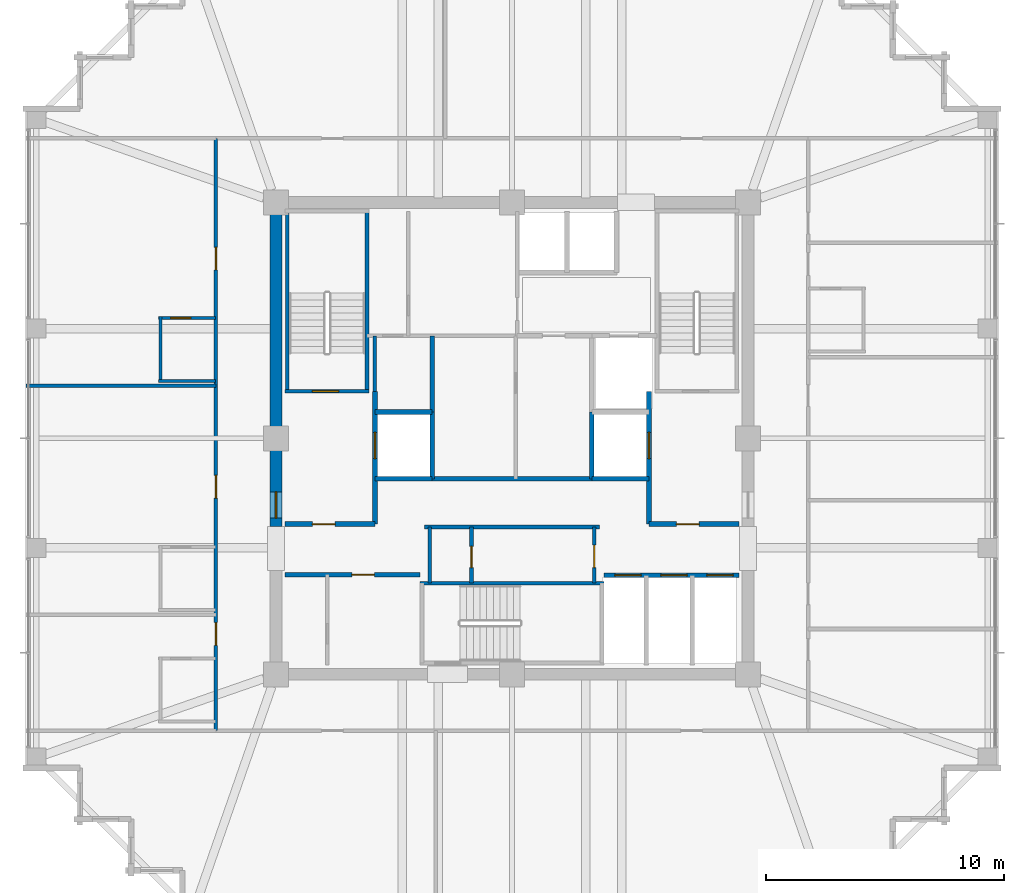
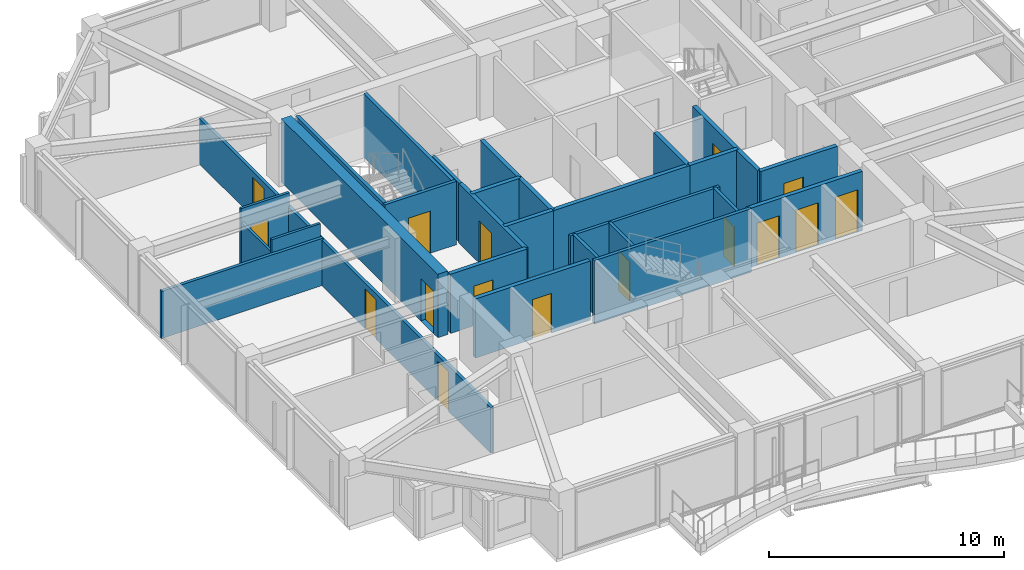
# One storey, part 31 of 36: 28 walls, 16 doors, 16 openings.
"""IFC4 building model written with IfcOpenShell, lengths in metres."""

from ifc_helpers import new_model, si_unit, direction, frame, frame_2d, origin, place, context, subcontext, project, spatial, rectangle, extrude, material, layer, layer_set, type_object, element, fill, save


model = new_model("IFC4")

# Units and contexts
model_context = context("Model", 3, precision=1e-05, world=origin(), true_north=direction((0.0, 1.0)))
body_context = subcontext(model_context, "Body", "Model", "MODEL_VIEW")
ifc_project = project(units=[si_unit("LENGTHUNIT", "METRE"), si_unit("AREAUNIT", "SQUARE_METRE"), si_unit("VOLUMEUNIT", "CUBIC_METRE"), si_unit("PLANEANGLEUNIT", "RADIAN"), si_unit("MASSUNIT", "GRAM", prefix="KILO")], contexts=[model_context])

# Site, building, storey
site_placement = place(None, origin())
site = spatial("IfcSite", under=ifc_project, at=site_placement, CompositionType="ELEMENT")
building_placement = place(site_placement, origin())
building = spatial("IfcBuilding", under=site, at=building_placement, Name="Kolvaren Belvedere", CompositionType="ELEMENT")
storey_placement = place(building_placement, frame((0.0, 0.0, 199.800048828125)))
storey = spatial("IfcBuildingStorey", under=building, at=storey_placement, Name="L58", CompositionType="ELEMENT", Elevation=199.800048828125)

# Wall, opening, door
ifc_material_1 = material(Name="Concrete C50/60", Category="concrete")
ifc_layer_1 = layer(ifc_material_1, 0.5)
ifc_layer_set_1 = layer_set([ifc_layer_1], Name="Concrete C50/60")
wall_type_1 = type_object("IfcWallType", Name="CW-CORE-500", PredefinedType="SHEAR", material=ifc_layer_set_1)
wall_1_placement = place(storey_placement, frame((-9.89990234375, -3.699951171875, 0.0), z_axis=(0.0, 0.0, 1.0), x_axis=(0.0, 1.0, 0.0)))
wall_1 = element("IfcWall", 1, at=wall_1_placement, inside=storey, type_object=wall_type_1, Name="L58 West Core Shear Wall 2", PredefinedType="SHEAR", context=body_context, shape_type="SweptSolid", body=[
    extrude(rectangle(XDim=13.349853515625, YDim=0.5, at=frame_2d((6.6748046875, 0.0))), origin(), (0.0, 0.0, 1.0), 3.300048828125),
])
opening_1_placement = place(wall_1_placement, frame((0.35009765625, 0.0, 0.0)))
opening_1 = element("IfcOpeningElement", 2, at=opening_1_placement, cuts=wall_1, Name="Opening D-FD90", PredefinedType="OPENING", context=body_context, shape_type="SweptSolid", body=[
    extrude(rectangle(XDim=1.10009765625, YDim=2.199951171875, at=frame_2d((0.550048828125, 1.10009765625))), frame((0.0, 0.260009765625, 0.0), z_axis=(0.0, -1.0, 0.0), x_axis=(1.0, 0.0, 0.0)), (0.0, 0.0, 1.0), 0.52001953125),
])
ifc_material_2 = material(Name="Painted hollow stainless steel", Category="steel")
door_type_1 = type_object("IfcDoorType", Name="DR-FD90-1100", OperationType="NOTDEFINED", PredefinedType="DOOR", material=ifc_material_2)
door_1_placement = place(opening_1_placement, origin())
door_1 = element("IfcDoor", 3, at=door_1_placement, inside=storey, type_object=door_type_1, Name="L58 West Firefighting Lobby Fire Door", OperationType="SINGLE_SWING_LEFT", OverallHeight=2.199951171875, OverallWidth=1.10009765625, PredefinedType="DOOR", context=body_context, shape_type="SweptSolid", body=[
    extrude(rectangle(XDim=1.10009765625, YDim=2.199951171875, at=frame_2d((0.550048828125, 1.10009765625))), frame((0.0, 0.02490234375, 0.0), z_axis=(0.0, -1.0, 0.0), x_axis=(1.0, 0.0, 0.0)), (0.0, 0.0, 1.0), 0.050048828125),
])
fill(opening_1, door_1)

ifc_material_3 = material(Name="Concrete C50/60", Category="concrete")
ifc_layer_2 = layer(ifc_material_3, 0.159912109375)
ifc_layer_set_2 = layer_set([ifc_layer_2], Name="Concrete C50/60")
wall_type_2 = type_object("IfcWallType", Name="CW-STAIR-160", PredefinedType="SHEAR", material=ifc_layer_set_2)
wall_2_placement = place(storey_placement, frame((-9.52001953125, 1.969970703125, 0.0), z_axis=(0.0, 0.0, 1.0), x_axis=(1.0, 0.0, 0.0)))
wall_2 = element("IfcWall", 4, at=wall_2_placement, inside=storey, type_object=wall_type_2, Name="L58 Stair ST-1 South Shear Wall", PredefinedType="SHEAR", context=body_context, shape_type="SweptSolid", body=[
    extrude(rectangle(XDim=3.52001953125, YDim=0.159912109375, at=frame_2d((1.760009765625, 0.0))), origin(), (0.0, 0.0, 1.0), 3.300048828125),
])
opening_2_placement = place(wall_2_placement, frame((1.14990234375, 0.0, 0.0)))
opening_2 = element("IfcOpeningElement", 5, at=opening_2_placement, cuts=wall_2, Name="Opening D-FD90", PredefinedType="OPENING", context=body_context, shape_type="SweptSolid", body=[
    extrude(rectangle(XDim=1.10009765625, YDim=2.199951171875, at=frame_2d((0.550048828125, 1.10009765625))), frame((0.0, 0.08984375, 0.0), z_axis=(0.0, -1.0, 0.0), x_axis=(1.0, 0.0, 0.0)), (0.0, 0.0, 1.0), 0.179931640625),
])
door_2_placement = place(opening_2_placement, origin())
door_2 = element("IfcDoor", 6, at=door_2_placement, inside=storey, type_object=door_type_1, Name="L58 Stair ST-1 Fire Door", OperationType="SINGLE_SWING_LEFT", OverallHeight=2.199951171875, OverallWidth=1.10009765625, PredefinedType="DOOR", context=body_context, shape_type="SweptSolid", body=[
    extrude(rectangle(XDim=1.10009765625, YDim=2.199951171875, at=frame_2d((0.550048828125, 1.10009765625))), frame((0.0, 0.02490234375, 0.0), z_axis=(0.0, -1.0, 0.0), x_axis=(1.0, 0.0, 0.0)), (0.0, 0.0, 1.0), 0.050048828125),
])
fill(opening_2, door_2)

# Walls
for number, where, z_axis, x_axis, name in (
    (7, (-9.429931640625, 1.969970703125, 0.0), (0.0, 0.0, 1.0), (0.0, 1.0, 0.0), "L58 Stair ST-1 West Shear Wall"),
    (8, (-6.080078125, 1.969970703125, 0.0), (0.0, 0.0, 1.0), (0.0, 1.0, 0.0), "L58 Stair ST-1 East Shear Wall"),
):
    element("IfcWall", number, at=place(storey_placement, frame(where, z_axis=z_axis, x_axis=x_axis)), inside=storey, type_object=wall_type_2, Name=name, PredefinedType="SHEAR", context=body_context, shape_type="SweptSolid", body=[
        extrude(rectangle(XDim=7.56005859375, YDim=0.159912109375, at=frame_2d((3.780029296875, 0.0))), origin(), (0.0, 0.0, 1.0), 3.300048828125),
    ])
wall_3_placement = place(storey_placement, frame((-3.860107421875, -6.080078125, 0.0), z_axis=(0.0, 0.0, 1.0), x_axis=(1.0, 0.0, 0.0)))
element("IfcWall", 9, at=wall_3_placement, inside=storey, type_object=wall_type_2, Name="L58 Stair ST-3 North Shear Wall", PredefinedType="SHEAR", context=body_context, shape_type="SweptSolid", body=[
    extrude(rectangle(XDim=7.72021484375, YDim=0.159912109375, at=frame_2d((3.860107421875, 0.0))), origin(), (0.0, 0.0, 1.0), 3.300048828125),
])

# Wall, openings, doors
ifc_material_4 = material(Name="Gypsum fire-rated partition assembly", Category="gypsum")
ifc_layer_3 = layer(ifc_material_4, 0.14990234375)
ifc_layer_set_3 = layer_set([ifc_layer_3], Name="Gypsum fire-rated partition assembly")
wall_type_3 = type_object("IfcWallType", Name="WL-CORR-150", PredefinedType="PARTITIONING", material=ifc_layer_set_3)
wall_4_placement = place(storey_placement, frame((-12.419921875, -12.260009765625, 0.0), z_axis=(0.0, 0.0, 1.0), x_axis=(0.0, 1.0, 0.0)))
wall_4 = element("IfcWall", 10, at=wall_4_placement, inside=storey, type_object=wall_type_3, Name="L58 West Corridor Wall", PredefinedType="PARTITIONING", context=body_context, shape_type="SweptSolid", body=[
    extrude(rectangle(XDim=24.840087890625, YDim=0.14990234375, at=frame_2d((12.419921875, 0.0))), origin(), (0.0, 0.0, 1.0), 2.368896484375),
])
opening_3_placement = place(wall_4_placement, frame((3.572509765625, 0.0, 0.0)))
opening_3 = element("IfcOpeningElement", 11, at=opening_3_placement, cuts=wall_4, Name="Opening D-FD60", PredefinedType="OPENING", context=body_context, shape_type="SweptSolid", body=[
    extrude(rectangle(XDim=0.949951171875, YDim=2.06005859375, at=frame_2d((0.47509765625, 1.030029296875))), frame((0.0, 0.0849609375, 0.0), z_axis=(0.0, -1.0, 0.0), x_axis=(1.0, 0.0, 0.0)), (0.0, 0.0, 1.0), 0.169921875),
])
opening_4_placement = place(wall_4_placement, frame((9.7548828125, 0.0, 0.0)))
opening_4 = element("IfcOpeningElement", 12, at=opening_4_placement, cuts=wall_4, Name="Opening D-FD60", PredefinedType="OPENING", context=body_context, shape_type="SweptSolid", body=[
    extrude(rectangle(XDim=0.949951171875, YDim=2.06005859375, at=frame_2d((0.47509765625, 1.030029296875))), frame((0.0, 0.0849609375, 0.0), z_axis=(0.0, -1.0, 0.0), x_axis=(1.0, 0.0, 0.0)), (0.0, 0.0, 1.0), 0.169921875),
])
opening_5_placement = place(wall_4_placement, frame((19.320068359375, 0.0, 0.0)))
opening_5 = element("IfcOpeningElement", 13, at=opening_5_placement, cuts=wall_4, Name="Opening D-FD60", PredefinedType="OPENING", context=body_context, shape_type="SweptSolid", body=[
    extrude(rectangle(XDim=0.949951171875, YDim=2.06005859375, at=frame_2d((0.47509765625, 1.030029296875))), frame((0.0, 0.0849609375, 0.0), z_axis=(0.0, -1.0, 0.0), x_axis=(1.0, 0.0, 0.0)), (0.0, 0.0, 1.0), 0.169921875),
])
ifc_material_5 = material(Name="Acoustic white-oak fire door leaf", Category="timber")
door_type_2 = type_object("IfcDoorType", Name="DR-FD60-950", OperationType="NOTDEFINED", PredefinedType="DOOR", material=ifc_material_5)
door_3_placement = place(opening_3_placement, origin())
door_3 = element("IfcDoor", 14, at=door_3_placement, inside=storey, type_object=door_type_2, Name="L58 Botanical Hospitality Suite 5808 Entry Door", OperationType="SINGLE_SWING_LEFT", OverallHeight=2.06005859375, OverallWidth=0.949951171875, PredefinedType="DOOR", context=body_context, shape_type="SweptSolid", body=[
    extrude(rectangle(XDim=0.949951171875, YDim=2.06005859375, at=frame_2d((0.47509765625, 1.030029296875))), frame((0.0, 0.02490234375, 0.0), z_axis=(0.0, -1.0, 0.0), x_axis=(1.0, 0.0, 0.0)), (0.0, 0.0, 1.0), 0.050048828125),
])
fill(opening_3, door_3)
door_4_placement = place(opening_4_placement, origin())
door_4 = element("IfcDoor", 15, at=door_4_placement, inside=storey, type_object=door_type_2, Name="L58 Panoramic Corner Hospitality Suite 5809 Entry Door", OperationType="SINGLE_SWING_LEFT", OverallHeight=2.06005859375, OverallWidth=0.949951171875, PredefinedType="DOOR", context=body_context, shape_type="SweptSolid", body=[
    extrude(rectangle(XDim=0.949951171875, YDim=2.06005859375, at=frame_2d((0.47509765625, 1.030029296875))), frame((0.0, 0.02490234375, 0.0), z_axis=(0.0, -1.0, 0.0), x_axis=(1.0, 0.0, 0.0)), (0.0, 0.0, 1.0), 0.050048828125),
])
fill(opening_4, door_4)
door_5_placement = place(opening_5_placement, origin())
door_5 = element("IfcDoor", 16, at=door_5_placement, inside=storey, type_object=door_type_2, Name="L58 Panoramic Corner Hospitality Suite 5810 Entry Door", OperationType="SINGLE_SWING_LEFT", OverallHeight=2.06005859375, OverallWidth=0.949951171875, PredefinedType="DOOR", context=body_context, shape_type="SweptSolid", body=[
    extrude(rectangle(XDim=0.949951171875, YDim=2.06005859375, at=frame_2d((0.47509765625, 1.030029296875))), frame((0.0, 0.02490234375, 0.0), z_axis=(0.0, -1.0, 0.0), x_axis=(1.0, 0.0, 0.0)), (0.0, 0.0, 1.0), 0.050048828125),
])
fill(opening_5, door_5)

# Wall
ifc_material_6 = material(Name="Gypsum acoustic partition assembly", Category="gypsum")
ifc_layer_4 = layer(ifc_material_6, 0.14990234375)
ifc_layer_set_4 = layer_set([ifc_layer_4], Name="Gypsum acoustic partition assembly")
wall_type_4 = type_object("IfcWallType", Name="WL-PART-150", PredefinedType="PARTITIONING", material=ifc_layer_set_4)
wall_5_placement = place(storey_placement, frame((-3.679931640625, -3.719970703125, 0.0), z_axis=(0.0, 0.0, 1.0), x_axis=(1.0, 0.0, 0.0)))
element("IfcWall", 17, at=wall_5_placement, inside=storey, type_object=wall_type_4, Name="L58 South Core Service North Wall", PredefinedType="PARTITIONING", context=body_context, shape_type="SweptSolid", body=[
    extrude(rectangle(XDim=7.35986328125, YDim=0.14990234375, at=frame_2d((3.679931640625, 0.0))), origin(), (0.0, 0.0, 1.0), 3.079833984375),
])

# Wall, opening, door
wall_6_placement = place(storey_placement, frame((3.449951171875, -6.080078125, 0.0), z_axis=(0.0, 0.0, 1.0), x_axis=(0.0, 1.0, 0.0)))
wall_6 = element("IfcWall", 18, at=wall_6_placement, inside=storey, type_object=wall_type_4, Name="L58 South Core Service East Wall", PredefinedType="PARTITIONING", context=body_context, shape_type="SweptSolid", body=[
    extrude(rectangle(XDim=2.360107421875, YDim=0.14990234375, at=frame_2d((1.18017578125, 0.0))), origin(), (0.0, 0.0, 1.0), 3.079833984375),
])
opening_6_placement = place(wall_6_placement, frame((0.64990234375, 0.0, 0.0)))
opening_6 = element("IfcOpeningElement", 19, at=opening_6_placement, cuts=wall_6, Name="Opening D-FD60", PredefinedType="OPENING", context=body_context, shape_type="SweptSolid", body=[
    extrude(rectangle(XDim=0.949951171875, YDim=2.06005859375, at=frame_2d((0.47509765625, 1.030029296875))), frame((0.0, 0.0849609375, 0.0), z_axis=(0.0, -1.0, 0.0), x_axis=(1.0, 0.0, 0.0)), (0.0, 0.0, 1.0), 0.169921875),
])
door_6_placement = place(opening_6_placement, origin())
door_6 = element("IfcDoor", 20, at=door_6_placement, inside=storey, type_object=door_type_2, Name="L58 Core Service Room Door", OperationType="SINGLE_SWING_LEFT", OverallHeight=2.06005859375, OverallWidth=0.949951171875, PredefinedType="DOOR", context=body_context, shape_type="SweptSolid", body=[
    extrude(rectangle(XDim=0.949951171875, YDim=2.06005859375, at=frame_2d((0.47509765625, 1.030029296875))), frame((0.0, 0.02490234375, 0.0), z_axis=(0.0, -1.0, 0.0), x_axis=(1.0, 0.0, 0.0)), (0.0, 0.0, 1.0), 0.050048828125),
])
fill(opening_6, door_6)

# Wall
wall_7_placement = place(storey_placement, frame((-3.449951171875, -6.080078125, 0.0), z_axis=(0.0, 0.0, 1.0), x_axis=(0.0, 1.0, 0.0)))
element("IfcWall", 21, at=wall_7_placement, inside=storey, type_object=wall_type_4, Name="L58 South Core Service West Wall", PredefinedType="PARTITIONING", context=body_context, shape_type="SweptSolid", body=[
    extrude(rectangle(XDim=2.360107421875, YDim=0.14990234375, at=frame_2d((1.18017578125, 0.0))), origin(), (0.0, 0.0, 1.0), 3.079833984375),
])

# Wall, opening, door
wall_8_placement = place(storey_placement, frame((-1.699951171875, -6.080078125, 0.0), z_axis=(0.0, 0.0, 1.0), x_axis=(0.0, 1.0, 0.0)))
wall_8 = element("IfcWall", 22, at=wall_8_placement, inside=storey, type_object=wall_type_4, Name="L58 Core Service Divider", PredefinedType="PARTITIONING", context=body_context, shape_type="SweptSolid", body=[
    extrude(rectangle(XDim=2.360107421875, YDim=0.14990234375, at=frame_2d((1.18017578125, 0.0))), origin(), (0.0, 0.0, 1.0), 3.079833984375),
])
opening_7_placement = place(wall_8_placement, frame((0.64990234375, 0.0, 0.0)))
opening_7 = element("IfcOpeningElement", 23, at=opening_7_placement, cuts=wall_8, Name="Opening D-INT90", PredefinedType="OPENING", context=body_context, shape_type="SweptSolid", body=[
    extrude(rectangle(XDim=0.89990234375, YDim=2.06005859375, at=frame_2d((0.449951171875, 1.030029296875))), frame((0.0, 0.0849609375, 0.0), z_axis=(0.0, -1.0, 0.0), x_axis=(1.0, 0.0, 0.0)), (0.0, 0.0, 1.0), 0.169921875),
])
ifc_material_7 = material(Name="Stained Pacific white oak", Category="timber")
door_type_3 = type_object("IfcDoorType", Name="DR-INT-900", OperationType="NOTDEFINED", PredefinedType="DOOR", material=ifc_material_7)
door_7_placement = place(opening_7_placement, origin())
door_7 = element("IfcDoor", 24, at=door_7_placement, inside=storey, type_object=door_type_3, Name="L58 Telecom Inner Door", OperationType="SINGLE_SWING_RIGHT", OverallHeight=2.06005859375, OverallWidth=0.89990234375, PredefinedType="DOOR", context=body_context, shape_type="SweptSolid", body=[
    extrude(rectangle(XDim=0.89990234375, YDim=2.06005859375, at=frame_2d((0.449951171875, 1.030029296875))), frame((0.0, 0.02490234375, 0.0), z_axis=(0.0, -1.0, 0.0), x_axis=(1.0, 0.0, 0.0)), (0.0, 0.0, 1.0), 0.050048828125),
])
fill(opening_7, door_7)

# Walls
wall_9_placement = place(storey_placement, frame((-5.75, 1.969970703125, 0.0), z_axis=(0.0, 0.0, 1.0), x_axis=(0.0, 1.0, 0.0)))
element("IfcWall", 25, at=wall_9_placement, inside=storey, type_object=wall_type_4, Name="L58 NW Service Room West Wall", PredefinedType="PARTITIONING", context=body_context, shape_type="SweptSolid", body=[
    extrude(rectangle(XDim=2.330078125, YDim=0.14990234375, at=frame_2d((1.1650390625, 0.0))), origin(), (0.0, 0.0, 1.0), 3.079833984375),
])
wall_10_placement = place(storey_placement, frame((-20.3798828125, 2.199951171875, 0.0), z_axis=(0.0, 0.0, 1.0), x_axis=(1.0, 0.0, 0.0)))
element("IfcWall", 26, at=wall_10_placement, inside=storey, type_object=wall_type_4, Name="L58 West Suite Demising Wall 2", PredefinedType="PARTITIONING", context=body_context, shape_type="SweptSolid", body=[
    extrude(rectangle(XDim=7.9599609375, YDim=0.14990234375, at=frame_2d((3.97998046875, 0.0))), origin(), (0.0, 0.0, 1.0), 2.452880859375),
])

# Wall, opening, door
ifc_material_8 = material(Name="Concrete C50/60", Category="concrete")
ifc_layer_5 = layer(ifc_material_8, 0.199951171875)
ifc_layer_set_5 = layer_set([ifc_layer_5], Name="Concrete C50/60")
wall_type_5 = type_object("IfcWallType", Name="WL-SHAFT-200", PredefinedType="SOLIDWALL", material=ifc_layer_set_5)
wall_11_placement = place(storey_placement, frame((-9.52001953125, -3.60009765625, 0.0), z_axis=(0.0, 0.0, 1.0), x_axis=(1.0, 0.0, 0.0)))
wall_11 = element("IfcWall", 27, at=wall_11_placement, inside=storey, type_object=wall_type_5, Name="L58 West FSAE Lobby South Wall", PredefinedType="SOLIDWALL", context=body_context, shape_type="SweptSolid", body=[
    extrude(rectangle(XDim=3.77001953125, YDim=0.199951171875, at=frame_2d((1.885009765625, 0.0))), origin(), (0.0, 0.0, 1.0), 3.079833984375),
])
opening_8_placement = place(wall_11_placement, frame((1.14990234375, 0.0, 0.0)))
opening_8 = element("IfcOpeningElement", 28, at=opening_8_placement, cuts=wall_11, Name="Opening D-FD60", PredefinedType="OPENING", context=body_context, shape_type="SweptSolid", body=[
    extrude(rectangle(XDim=0.949951171875, YDim=2.06005859375, at=frame_2d((0.47509765625, 1.030029296875))), frame((0.0, 0.10986328125, 0.0), z_axis=(0.0, -1.0, 0.0), x_axis=(1.0, 0.0, 0.0)), (0.0, 0.0, 1.0), 0.219970703125),
])
door_8_placement = place(opening_8_placement, origin())
door_8 = element("IfcDoor", 29, at=door_8_placement, inside=storey, type_object=door_type_2, Name="L58 SW Lobby Fire Door", OperationType="SINGLE_SWING_LEFT", OverallHeight=2.06005859375, OverallWidth=0.949951171875, PredefinedType="DOOR", context=body_context, shape_type="SweptSolid", body=[
    extrude(rectangle(XDim=0.949951171875, YDim=2.06005859375, at=frame_2d((0.47509765625, 1.030029296875))), frame((0.0, 0.02490234375, 0.0), z_axis=(0.0, -1.0, 0.0), x_axis=(1.0, 0.0, 0.0)), (0.0, 0.0, 1.0), 0.050048828125),
])
fill(opening_8, door_8)

wall_12_placement = place(storey_placement, frame((-5.75, -3.60009765625, 0.0), z_axis=(0.0, 0.0, 1.0), x_axis=(0.0, 1.0, 0.0)))
wall_12 = element("IfcWall", 30, at=wall_12_placement, inside=storey, type_object=wall_type_5, Name="L58 FSAE FS1 Landing Wall", PredefinedType="SOLIDWALL", context=body_context, shape_type="SweptSolid", body=[
    extrude(rectangle(XDim=5.570068359375, YDim=0.199951171875, at=frame_2d((2.78515625, 0.0))), origin(), (0.0, 0.0, 1.0), 3.079833984375),
])
opening_9_placement = place(wall_12_placement, frame((2.75, 0.0, 0.0)))
opening_9 = element("IfcOpeningElement", 31, at=opening_9_placement, cuts=wall_12, Name="Opening LD-11", PredefinedType="OPENING", context=body_context, shape_type="SweptSolid", body=[
    extrude(rectangle(XDim=1.10009765625, YDim=2.199951171875, at=frame_2d((0.550048828125, 1.10009765625))), frame((0.0, 0.10986328125, 0.0), z_axis=(0.0, -1.0, 0.0), x_axis=(1.0, 0.0, 0.0)), (0.0, 0.0, 1.0), 0.219970703125),
])
ifc_material_9 = material(Name="Brushed stainless steel", Category="steel")
door_type_4 = type_object("IfcDoorType", Name="DR-LIFT-1100", OperationType="DOUBLE_DOOR_SLIDING", PredefinedType="DOOR", material=ifc_material_9)
door_9_placement = place(opening_9_placement, origin())
door_9 = element("IfcDoor", 32, at=door_9_placement, inside=storey, type_object=door_type_4, Name="L58 Firefighting Lift FS1 Landing Door", OperationType="DOUBLE_DOOR_SLIDING", OverallHeight=2.199951171875, OverallWidth=1.10009765625, PredefinedType="DOOR", context=body_context, shape_type="SweptSolid", body=[
    extrude(rectangle(XDim=1.10009765625, YDim=2.199951171875, at=frame_2d((0.550048828125, 1.10009765625))), frame((0.0, 0.02490234375, 0.0), z_axis=(0.0, -1.0, 0.0), x_axis=(1.0, 0.0, 0.0)), (0.0, 0.0, 1.0), 0.050048828125),
])
fill(opening_9, door_9)

# Walls
wall_13_placement = place(storey_placement, frame((-3.35009765625, -1.699951171875, 0.0), z_axis=(0.0, 0.0, 1.0), x_axis=(0.0, 1.0, 0.0)))
element("IfcWall", 33, at=wall_13_placement, inside=storey, type_object=wall_type_5, Name="L58 FSAE FS1 Back Wall", PredefinedType="SOLIDWALL", context=body_context, shape_type="SweptSolid", body=[
    extrude(rectangle(XDim=2.800048828125, YDim=0.199951171875, at=frame_2d((1.39990234375, 0.0))), origin(), (0.0, 0.0, 1.0), 3.079833984375),
])
for number, where, z_axis, x_axis, name in (
    (34, (-5.75, -1.699951171875, 0.0), (0.0, 0.0, 1.0), (1.0, 0.0, 0.0), "L58 FSAE FS1 South Wall"),
    (35, (-5.75, 1.10009765625, 0.0), (0.0, 0.0, 1.0), (1.0, 0.0, 0.0), "L58 FSAE FS1 North Wall"),
):
    element("IfcWall", number, at=place(storey_placement, frame(where, z_axis=z_axis, x_axis=x_axis)), inside=storey, type_object=wall_type_5, Name=name, PredefinedType="SOLIDWALL", context=body_context, shape_type="SweptSolid", body=[
        extrude(rectangle(XDim=2.39990234375, YDim=0.199951171875, at=frame_2d((1.199951171875, 0.0))), origin(), (0.0, 0.0, 1.0), 3.079833984375),
    ])

# Wall, opening, door
wall_14_placement = place(storey_placement, frame((5.75, -3.60009765625, 0.0), z_axis=(0.0, 0.0, 1.0), x_axis=(1.0, 0.0, 0.0)))
wall_14 = element("IfcWall", 36, at=wall_14_placement, inside=storey, type_object=wall_type_5, Name="L58 East FSAE Lobby South Wall", PredefinedType="SOLIDWALL", context=body_context, shape_type="SweptSolid", body=[
    extrude(rectangle(XDim=3.77001953125, YDim=0.199951171875, at=frame_2d((1.885009765625, 0.0))), origin(), (0.0, 0.0, 1.0), 3.079833984375),
])
opening_10_placement = place(wall_14_placement, frame((1.14990234375, 0.0, 0.0)))
opening_10 = element("IfcOpeningElement", 37, at=opening_10_placement, cuts=wall_14, Name="Opening D-FD60", PredefinedType="OPENING", context=body_context, shape_type="SweptSolid", body=[
    extrude(rectangle(XDim=0.949951171875, YDim=2.06005859375, at=frame_2d((0.47509765625, 1.030029296875))), frame((0.0, 0.10986328125, 0.0), z_axis=(0.0, -1.0, 0.0), x_axis=(1.0, 0.0, 0.0)), (0.0, 0.0, 1.0), 0.219970703125),
])
door_10_placement = place(opening_10_placement, origin())
door_10 = element("IfcDoor", 38, at=door_10_placement, inside=storey, type_object=door_type_2, Name="L58 SE Lift Lobby Fire Door", OperationType="SINGLE_SWING_RIGHT", OverallHeight=2.06005859375, OverallWidth=0.949951171875, PredefinedType="DOOR", context=body_context, shape_type="SweptSolid", body=[
    extrude(rectangle(XDim=0.949951171875, YDim=2.06005859375, at=frame_2d((0.47509765625, 1.030029296875))), frame((0.0, 0.02490234375, 0.0), z_axis=(0.0, -1.0, 0.0), x_axis=(1.0, 0.0, 0.0)), (0.0, 0.0, 1.0), 0.050048828125),
])
fill(opening_10, door_10)

wall_15_placement = place(storey_placement, frame((5.75, -3.60009765625, 0.0), z_axis=(0.0, 0.0, 1.0), x_axis=(0.0, 1.0, 0.0)))
wall_15 = element("IfcWall", 39, at=wall_15_placement, inside=storey, type_object=wall_type_5, Name="L58 FSAE FS2 Landing Wall", PredefinedType="SOLIDWALL", context=body_context, shape_type="SweptSolid", body=[
    extrude(rectangle(XDim=5.570068359375, YDim=0.199951171875, at=frame_2d((2.78515625, 0.0))), origin(), (0.0, 0.0, 1.0), 3.079833984375),
])
opening_11_placement = place(wall_15_placement, frame((2.75, 0.0, 0.0)))
opening_11 = element("IfcOpeningElement", 40, at=opening_11_placement, cuts=wall_15, Name="Opening LD-11", PredefinedType="OPENING", context=body_context, shape_type="SweptSolid", body=[
    extrude(rectangle(XDim=1.10009765625, YDim=2.199951171875, at=frame_2d((0.550048828125, 1.10009765625))), frame((0.0, 0.10986328125, 0.0), z_axis=(0.0, -1.0, 0.0), x_axis=(1.0, 0.0, 0.0)), (0.0, 0.0, 1.0), 0.219970703125),
])
door_11_placement = place(opening_11_placement, origin())
door_11 = element("IfcDoor", 41, at=door_11_placement, inside=storey, type_object=door_type_4, Name="L58 Firefighting Lift FS2 Landing Door", OperationType="DOUBLE_DOOR_SLIDING", OverallHeight=2.199951171875, OverallWidth=1.10009765625, PredefinedType="DOOR", context=body_context, shape_type="SweptSolid", body=[
    extrude(rectangle(XDim=1.10009765625, YDim=2.199951171875, at=frame_2d((0.550048828125, 1.10009765625))), frame((0.0, 0.02490234375, 0.0), z_axis=(0.0, -1.0, 0.0), x_axis=(1.0, 0.0, 0.0)), (0.0, 0.0, 1.0), 0.050048828125),
])
fill(opening_11, door_11)

# Walls
wall_16_placement = place(storey_placement, frame((3.35009765625, -1.699951171875, 0.0), z_axis=(0.0, 0.0, 1.0), x_axis=(0.0, 1.0, 0.0)))
element("IfcWall", 42, at=wall_16_placement, inside=storey, type_object=wall_type_5, Name="L58 FSAE FS2 Back Wall", PredefinedType="SOLIDWALL", context=body_context, shape_type="SweptSolid", body=[
    extrude(rectangle(XDim=2.800048828125, YDim=0.199951171875, at=frame_2d((1.39990234375, 0.0))), origin(), (0.0, 0.0, 1.0), 3.079833984375),
])
wall_17_placement = place(storey_placement, frame((3.35009765625, -1.699951171875, 0.0), z_axis=(0.0, 0.0, 1.0), x_axis=(1.0, 0.0, 0.0)))
element("IfcWall", 43, at=wall_17_placement, inside=storey, type_object=wall_type_5, Name="L58 FSAE FS2 South Wall", PredefinedType="SOLIDWALL", context=body_context, shape_type="SweptSolid", body=[
    extrude(rectangle(XDim=2.39990234375, YDim=0.199951171875, at=frame_2d((1.199951171875, 0.0))), origin(), (0.0, 0.0, 1.0), 3.079833984375),
])

# Wall, opening, door
wall_18_placement = place(storey_placement, frame((-9.52001953125, -5.719970703125, 0.0), z_axis=(0.0, 0.0, 1.0), x_axis=(1.0, 0.0, 0.0)))
wall_18 = element("IfcWall", 44, at=wall_18_placement, inside=storey, type_object=wall_type_5, Name="L58 Reclaimed Mid Room North Wall", PredefinedType="SOLIDWALL", context=body_context, shape_type="SweptSolid", body=[
    extrude(rectangle(XDim=5.659912109375, YDim=0.199951171875, at=frame_2d((2.830078125, 0.0))), origin(), (0.0, 0.0, 1.0), 3.079833984375),
])
opening_12_placement = place(wall_18_placement, frame((2.800048828125, 0.0, 0.0)))
opening_12 = element("IfcOpeningElement", 45, at=opening_12_placement, cuts=wall_18, Name="Opening D-FD60", PredefinedType="OPENING", context=body_context, shape_type="SweptSolid", body=[
    extrude(rectangle(XDim=0.949951171875, YDim=2.06005859375, at=frame_2d((0.47509765625, 1.030029296875))), frame((0.0, 0.10986328125, 0.0), z_axis=(0.0, -1.0, 0.0), x_axis=(1.0, 0.0, 0.0)), (0.0, 0.0, 1.0), 0.219970703125),
])
door_12_placement = place(opening_12_placement, origin())
door_12 = element("IfcDoor", 46, at=door_12_placement, inside=storey, type_object=door_type_2, Name="L58 Reading Lounge Door", OperationType="SINGLE_SWING_LEFT", OverallHeight=2.06005859375, OverallWidth=0.949951171875, PredefinedType="DOOR", context=body_context, shape_type="SweptSolid", body=[
    extrude(rectangle(XDim=0.949951171875, YDim=2.06005859375, at=frame_2d((0.47509765625, 1.030029296875))), frame((0.0, 0.02490234375, 0.0), z_axis=(0.0, -1.0, 0.0), x_axis=(1.0, 0.0, 0.0)), (0.0, 0.0, 1.0), 0.050048828125),
])
fill(opening_12, door_12)

# Wall, openings, doors
wall_19_placement = place(storey_placement, frame((3.860107421875, -5.75, 0.0), z_axis=(0.0, 0.0, 1.0), x_axis=(1.0, 0.0, 0.0)))
wall_19 = element("IfcWall", 47, at=wall_19_placement, inside=storey, type_object=wall_type_5, Name="L58 High-Rise Lift Bank Front Wall", PredefinedType="SOLIDWALL", context=body_context, shape_type="SweptSolid", body=[
    extrude(rectangle(XDim=5.659912109375, YDim=0.199951171875, at=frame_2d((2.830078125, 0.0))), origin(), (0.0, 0.0, 1.0), 3.079833984375),
])
opening_13_placement = place(wall_19_placement, frame((0.4599609375, 0.0, 0.0)))
opening_13 = element("IfcOpeningElement", 48, at=opening_13_placement, cuts=wall_19, Name="Opening LD-11", PredefinedType="OPENING", context=body_context, shape_type="SweptSolid", body=[
    extrude(rectangle(XDim=1.10009765625, YDim=2.199951171875, at=frame_2d((0.550048828125, 1.10009765625))), frame((0.0, 0.10986328125, 0.0), z_axis=(0.0, -1.0, 0.0), x_axis=(1.0, 0.0, 0.0)), (0.0, 0.0, 1.0), 0.219970703125),
])
opening_14_placement = place(wall_19_placement, frame((2.389892578125, 0.0, 0.0)))
opening_14 = element("IfcOpeningElement", 49, at=opening_14_placement, cuts=wall_19, Name="Opening LD-11", PredefinedType="OPENING", context=body_context, shape_type="SweptSolid", body=[
    extrude(rectangle(XDim=1.10009765625, YDim=2.199951171875, at=frame_2d((0.550048828125, 1.10009765625))), frame((0.0, 0.10986328125, 0.0), z_axis=(0.0, -1.0, 0.0), x_axis=(1.0, 0.0, 0.0)), (0.0, 0.0, 1.0), 0.219970703125),
])
opening_15_placement = place(wall_19_placement, frame((4.320068359375, 0.0, 0.0)))
opening_15 = element("IfcOpeningElement", 50, at=opening_15_placement, cuts=wall_19, Name="Opening LD-11", PredefinedType="OPENING", context=body_context, shape_type="SweptSolid", body=[
    extrude(rectangle(XDim=1.10009765625, YDim=2.199951171875, at=frame_2d((0.550048828125, 1.10009765625))), frame((0.0, 0.10986328125, 0.0), z_axis=(0.0, -1.0, 0.0), x_axis=(1.0, 0.0, 0.0)), (0.0, 0.0, 1.0), 0.219970703125),
])
door_13_placement = place(opening_13_placement, origin())
door_13 = element("IfcDoor", 51, at=door_13_placement, inside=storey, type_object=door_type_4, Name="L58 Passenger Lift P7 Landing Door", OperationType="DOUBLE_DOOR_SLIDING", OverallHeight=2.199951171875, OverallWidth=1.10009765625, PredefinedType="DOOR", context=body_context, shape_type="SweptSolid", body=[
    extrude(rectangle(XDim=1.10009765625, YDim=2.199951171875, at=frame_2d((0.550048828125, 1.10009765625))), frame((0.0, 0.02490234375, 0.0), z_axis=(0.0, -1.0, 0.0), x_axis=(1.0, 0.0, 0.0)), (0.0, 0.0, 1.0), 0.050048828125),
])
fill(opening_13, door_13)
door_14_placement = place(opening_14_placement, origin())
door_14 = element("IfcDoor", 52, at=door_14_placement, inside=storey, type_object=door_type_4, Name="L58 Passenger Lift P8 Landing Door", OperationType="DOUBLE_DOOR_SLIDING", OverallHeight=2.199951171875, OverallWidth=1.10009765625, PredefinedType="DOOR", context=body_context, shape_type="SweptSolid", body=[
    extrude(rectangle(XDim=1.10009765625, YDim=2.199951171875, at=frame_2d((0.550048828125, 1.10009765625))), frame((0.0, 0.02490234375, 0.0), z_axis=(0.0, -1.0, 0.0), x_axis=(1.0, 0.0, 0.0)), (0.0, 0.0, 1.0), 0.050048828125),
])
fill(opening_14, door_14)
door_15_placement = place(opening_15_placement, origin())
door_15 = element("IfcDoor", 53, at=door_15_placement, inside=storey, type_object=door_type_4, Name="L58 Passenger Lift P9 Landing Door", OperationType="DOUBLE_DOOR_SLIDING", OverallHeight=2.199951171875, OverallWidth=1.10009765625, PredefinedType="DOOR", context=body_context, shape_type="SweptSolid", body=[
    extrude(rectangle(XDim=1.10009765625, YDim=2.199951171875, at=frame_2d((0.550048828125, 1.10009765625))), frame((0.0, 0.02490234375, 0.0), z_axis=(0.0, -1.0, 0.0), x_axis=(1.0, 0.0, 0.0)), (0.0, 0.0, 1.0), 0.050048828125),
])
fill(opening_15, door_15)

# Walls
wall_20_placement = place(storey_placement, frame((-3.35009765625, -1.699951171875, 0.0), z_axis=(0.0, 0.0, 1.0), x_axis=(1.0, 0.0, 0.0)))
element("IfcWall", 54, at=wall_20_placement, inside=storey, type_object=wall_type_5, Name="L58 Central Core Room South Wall", PredefinedType="SOLIDWALL", context=body_context, shape_type="SweptSolid", body=[
    extrude(rectangle(XDim=6.7001953125, YDim=0.199951171875, at=frame_2d((3.35009765625, 0.0))), origin(), (0.0, 0.0, 1.0), 3.079833984375),
])
wall_21_placement = place(storey_placement, frame((-3.35009765625, 1.10009765625, 0.0), z_axis=(0.0, 0.0, 1.0), x_axis=(0.0, 1.0, 0.0)))
element("IfcWall", 55, at=wall_21_placement, inside=storey, type_object=wall_type_5, Name="L58 Central Core Room West Wall", PredefinedType="SOLIDWALL", context=body_context, shape_type="SweptSolid", body=[
    extrude(rectangle(XDim=3.199951171875, YDim=0.199951171875, at=frame_2d((1.60009765625, 0.0))), origin(), (0.0, 0.0, 1.0), 3.079833984375),
])

# Wall, opening, door
ifc_material_10 = material(Name="Moisture-resistant gypsum partition", Category="gypsum")
ifc_layer_6 = layer(ifc_material_10, 0.125)
ifc_layer_set_6 = layer_set([ifc_layer_6], Name="Moisture-resistant gypsum partition")
wall_type_6 = type_object("IfcWallType", Name="WL-WET-125", PredefinedType="PARTITIONING", material=ifc_layer_set_6)
wall_22_placement = place(storey_placement, frame((-14.824951171875, 5.044921875, 0.0), z_axis=(0.0, 0.0, 1.0), x_axis=(1.0, 0.0, 0.0)))
wall_22 = element("IfcWall", 56, at=wall_22_placement, inside=storey, type_object=wall_type_6, Name="L58 Bathroom Partition PW-L58-BTH-10-N", PredefinedType="PARTITIONING", context=body_context, shape_type="SweptSolid", body=[
    extrude(rectangle(XDim=2.389892578125, YDim=0.125, at=frame_2d((1.19482421875, 0.0))), origin(), (0.0, 0.0, 1.0), 3.079833984375),
])
opening_16_placement = place(wall_22_placement, frame((0.5, 0.0, 0.0)))
opening_16 = element("IfcOpeningElement", 57, at=opening_16_placement, cuts=wall_22, Name="Opening D-BTH85", PredefinedType="OPENING", context=body_context, shape_type="SweptSolid", body=[
    extrude(rectangle(XDim=0.85009765625, YDim=2.030029296875, at=frame_2d((0.425048828125, 1.01513671875))), frame((0.0, 0.072509765625, 0.0), z_axis=(0.0, -1.0, 0.0), x_axis=(1.0, 0.0, 0.0)), (0.0, 0.0, 1.0), 0.14501953125),
])
ifc_material_11 = material(Name="Moisture-sealed Pacific white oak", Category="timber")
door_type_5 = type_object("IfcDoorType", Name="DR-BATH-850", OperationType="NOTDEFINED", PredefinedType="DOOR", material=ifc_material_11)
door_16_placement = place(opening_16_placement, origin())
door_16 = element("IfcDoor", 58, at=door_16_placement, inside=storey, type_object=door_type_5, Name="L58 En-Suite Bathroom 5810 Door", OperationType="SINGLE_SWING_RIGHT", OverallHeight=2.030029296875, OverallWidth=0.85009765625, PredefinedType="DOOR", context=body_context, shape_type="SweptSolid", body=[
    extrude(rectangle(XDim=0.85009765625, YDim=2.030029296875, at=frame_2d((0.425048828125, 1.01513671875))), frame((0.0, 0.02490234375, 0.0), z_axis=(0.0, -1.0, 0.0), x_axis=(1.0, 0.0, 0.0)), (0.0, 0.0, 1.0), 0.050048828125),
])
fill(opening_16, door_16)

# Walls
wall_23_placement = place(storey_placement, frame((-14.7451171875, 2.3349609375, 0.0), z_axis=(0.0, 0.0, 1.0), x_axis=(0.0, 1.0, 0.0)))
element("IfcWall", 59, at=wall_23_placement, inside=storey, type_object=wall_type_6, Name="L58 Bathroom Partition PW-L58-BTH-10-V", PredefinedType="PARTITIONING", context=body_context, shape_type="SweptSolid", body=[
    extrude(rectangle(XDim=2.77001953125, YDim=0.125, at=frame_2d((1.385009765625, 0.0))), origin(), (0.0, 0.0, 1.0), 2.368896484375),
])
wall_24_placement = place(storey_placement, frame((-14.824951171875, 2.39501953125, 0.0), z_axis=(0.0, 0.0, 1.0), x_axis=(1.0, 0.0, 0.0)))
element("IfcWall", 60, at=wall_24_placement, inside=storey, type_object=wall_type_6, Name="L58 Bathroom Partition PW-L58-BTH-10-S", PredefinedType="PARTITIONING", context=body_context, shape_type="SweptSolid", body=[
    extrude(rectangle(XDim=2.389892578125, YDim=0.125, at=frame_2d((1.19482421875, 0.0))), origin(), (0.0, 0.0, 1.0), 3.079833984375),
])

save(model, "model.ifc")
